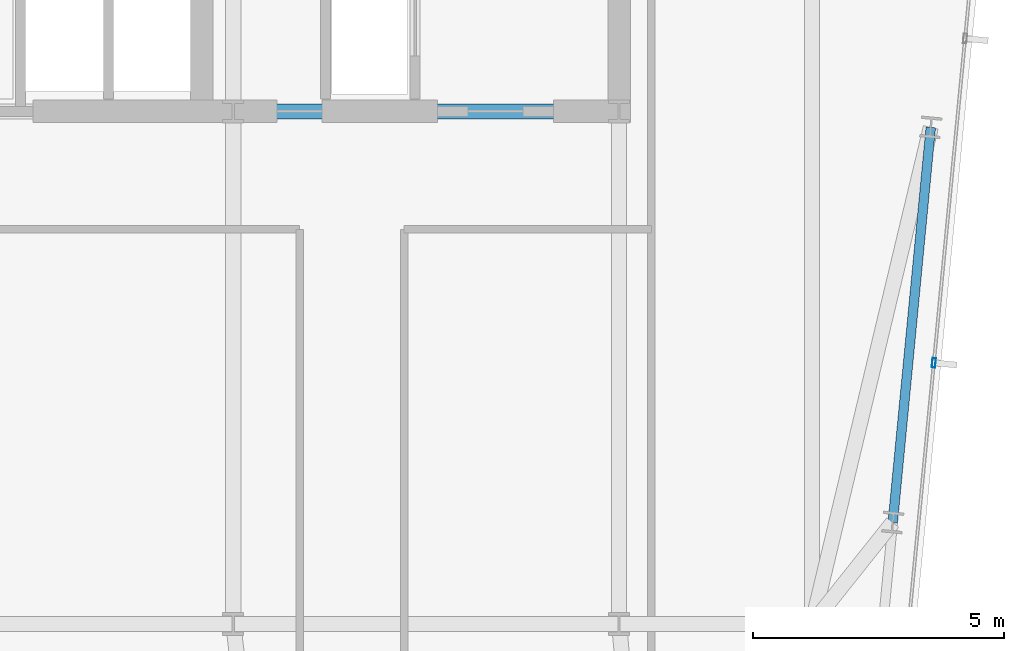
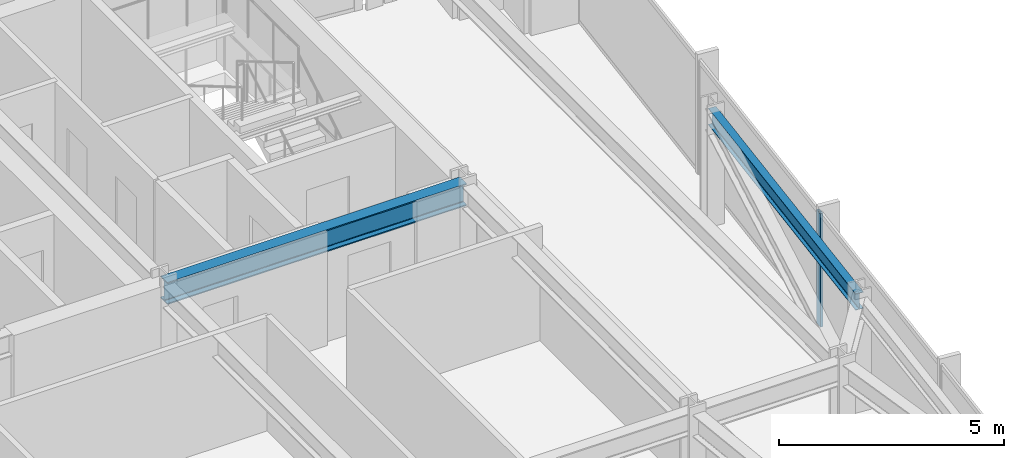
# One storey, part 18 of 37: 2 beams, 1 member, 1 element without a shape of its own.
"""IFC4 building model written with IfcOpenShell, lengths in metres."""

from ifc_helpers import new_model, si_unit, direction, frame, origin, origin_2d, place, context, subcontext, project, spatial, hollow_rectangle, i_section, extrude, material, material_profile, profile_set, type_object, element, aggregate, save


model = new_model("IFC4")

# Units and contexts
model_context = context("Model", 3, precision=1e-05, world=origin(), true_north=direction((0.0, 1.0)))
body_context = subcontext(model_context, "Body", "Model", "MODEL_VIEW")
ifc_project = project(units=[si_unit("LENGTHUNIT", "METRE"), si_unit("AREAUNIT", "SQUARE_METRE"), si_unit("VOLUMEUNIT", "CUBIC_METRE"), si_unit("PLANEANGLEUNIT", "RADIAN"), si_unit("MASSUNIT", "GRAM", prefix="KILO")], contexts=[model_context])

# Site, building, storey
site_placement = place(None, origin())
site = spatial("IfcSite", under=ifc_project, at=site_placement, CompositionType="ELEMENT")
building_placement = place(site_placement, origin())
building = spatial("IfcBuilding", under=site, at=building_placement, Name="Yelkora Congress Tower", CompositionType="ELEMENT")
storey_placement = place(building_placement, frame((0.0, 0.0, 149.0)))
storey = spatial("IfcBuildingStorey", under=building, at=storey_placement, Name="L40", CompositionType="ELEMENT", Elevation=149.0)

# Beams
ifc_material_1 = material(Name="Steel S355J2", Category="steel")
ifc_material_profile_1 = material_profile(ifc_material_1, i_section(OverallWidth=0.300048828125, OverallDepth=0.60009765625, WebThickness=0.015380859375, FlangeThickness=0.030029296875, FilletRadius=0.027099609375, at=origin_2d()), Name="HEB 600")
ifc_profile_set_1 = profile_set([ifc_material_profile_1], Name="Steel S355J2")
beam_type_1 = type_object("IfcBeamType", Name="BM-GIRD-HEB600", PredefinedType="BEAM", material=ifc_profile_set_1)
beam_1_placement = place(storey_placement, frame((46.080078125, 35.39990234375, 2.780029296875), z_axis=(1.0, 0.0, 0.0), x_axis=(0.0, 1.0, 0.0)))
element("IfcBeam", 1, at=beam_1_placement, inside=storey, type_object=beam_type_1, Name="L40 Core South Girder 4", PredefinedType="BEAM", context=body_context, shape_type="SweptSolid", body=[
    extrude(i_section(OverallWidth=0.300048828125, OverallDepth=0.60009765625, WebThickness=0.015380859375, FlangeThickness=0.030029296875, FilletRadius=0.027099609375, at=origin_2d()), origin(), (0.0, 0.0, 1.0), 7.679931640625),
])
ifc_material_profile_2 = material_profile(ifc_material_1, i_section(OverallWidth=0.18994140625, OverallDepth=0.449951171875, WebThickness=0.009521484375, FlangeThickness=0.0146484375, FilletRadius=0.02099609375, at=origin_2d()), Name="IPE 450")
ifc_profile_set_2 = profile_set([ifc_material_profile_2], Name="Steel S355J2")
beam_type_2 = type_object("IfcBeamType", Name="BM-SPAN-IPE450", PredefinedType="SPANDREL", material=ifc_profile_set_2)
beam_2_placement = place(storey_placement, frame((59.206298828125, 27.217529296875, 2.85498046875), z_axis=(0.095834301903, 0.99539730087, 0.0), x_axis=(-0.99539730087, 0.095834301903, 0.0)))
element("IfcBeam", 2, at=beam_2_placement, inside=storey, type_object=beam_type_2, Name="L40 Perimeter Beam 11", PredefinedType="SPANDREL", context=body_context, shape_type="SweptSolid", body=[
    extrude(i_section(OverallWidth=0.18994140625, OverallDepth=0.449951171875, WebThickness=0.009521484375, FlangeThickness=0.0146484375, FilletRadius=0.02099609375, at=origin_2d()), origin(), (0.0, 0.0, 1.0), 7.89990234375),
])

# Curtain wall, member
ifc_material_2 = material(Name="Anodised aluminium and insulated glass", Category="aluminium")
curtain_wall_type = type_object("IfcCurtainWallType", Name="CW-SYS-B3", PredefinedType="NOTDEFINED", material=ifc_material_2)
curtain_wall_placement = place(storey_placement, origin())
curtain_wall = element("IfcCurtainWall", 3, at=curtain_wall_placement, inside=storey, type_object=curtain_wall_type, Name="L40 Unitised Curtain Wall 15", PredefinedType="NOTDEFINED")
ifc_material_3 = material(Name="Anodised aluminium 6063-T6", Category="aluminium")
ifc_material_profile_3 = material_profile(ifc_material_3, hollow_rectangle(XDim=0.070068359375, YDim=0.18994140625, WallThickness=0.00390625, at=origin_2d()), Name="ALU 70x190x4")
ifc_profile_set_3 = profile_set([ifc_material_profile_3], Name="Anodised aluminium 6063-T6")
member_type = type_object("IfcMemberType", Name="MEM-ML-B3", PredefinedType="MULLION", material=ifc_profile_set_3)
member_placement = place(storey_placement, frame((60.024658203125, 30.395751953125, 0.0), z_axis=(0.0, 0.0, 1.0), x_axis=(0.995396565076, -0.095841944023, 0.0)))
member = element("IfcMember", 4, at=member_placement, type_object=member_type, Name="CW-B3 mullion 3", PredefinedType="MULLION", context=body_context, shape_type="SweptSolid", body=[
    extrude(hollow_rectangle(XDim=0.070068359375, YDim=0.18994140625, WallThickness=0.00390625, at=origin_2d()), origin(), (0.0, 0.0, 1.0), 3.080078125),
])
aggregate(curtain_wall, [member])

save(model, "model.ifc")
